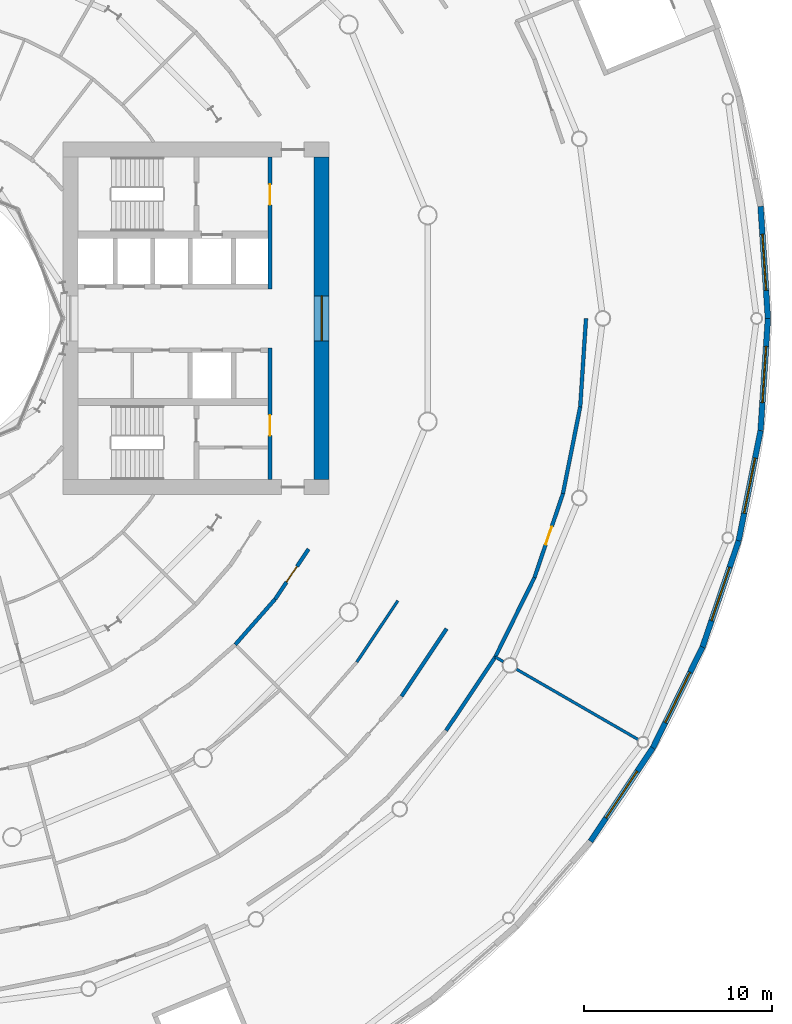
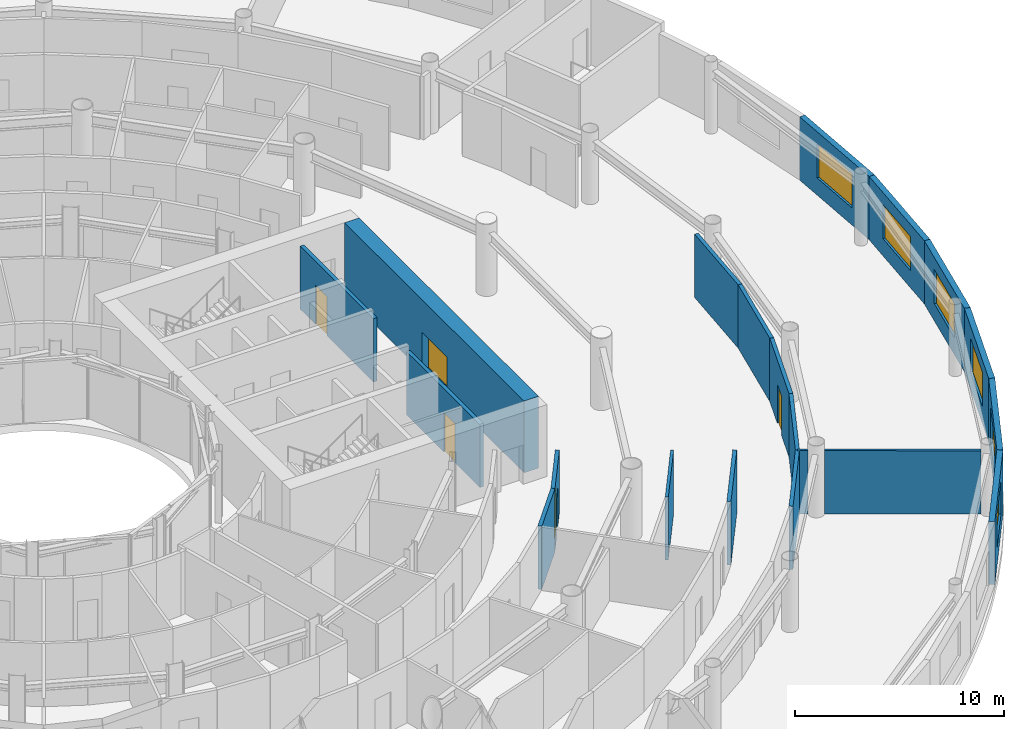
# One storey, part 18 of 29: 20 walls, 7 windows, 4 doors, 11 openings.
"""IFC4 building model written with IfcOpenShell, lengths in metres."""

from ifc_helpers import new_model, si_unit, direction, frame, frame_2d, origin, place, context, subcontext, project, spatial, rectangle, extrude, material, layer, layer_set, type_object, element, fill, save


model = new_model("IFC4")

# Units and contexts
model_context = context("Model", 3, precision=1e-05, world=origin(), true_north=direction((0.0, 1.0)))
body_context = subcontext(model_context, "Body", "Model", "MODEL_VIEW")
ifc_project = project(units=[si_unit("LENGTHUNIT", "METRE"), si_unit("AREAUNIT", "SQUARE_METRE"), si_unit("VOLUMEUNIT", "CUBIC_METRE"), si_unit("PLANEANGLEUNIT", "RADIAN"), si_unit("MASSUNIT", "GRAM", prefix="KILO")], contexts=[model_context])

# Site, building, storey
site_placement = place(None, origin())
site = spatial("IfcSite", under=ifc_project, at=site_placement, CompositionType="ELEMENT")
building_placement = place(site_placement, origin())
building = spatial("IfcBuilding", under=site, at=building_placement, Name="Maasbend Ring Residences", CompositionType="ELEMENT")
storey_placement = place(building_placement, frame((0.0, 0.0, 5.39990234375)))
storey = spatial("IfcBuildingStorey", under=building, at=storey_placement, Name="L01", CompositionType="ELEMENT", Elevation=5.39990234375)

# Wall, opening, window
ifc_material_1 = material(Name="Concrete C70/85", Category="concrete")
ifc_layer_1 = layer(ifc_material_1, 0.800048828125)
ifc_layer_set_1 = layer_set([ifc_layer_1], Name="Concrete C70/85")
wall_type_1 = type_object("IfcWallType", Name="CORE WALL 800 C70/85", PredefinedType="SHEAR", material=ifc_layer_set_1)
wall_1_placement = place(storey_placement, frame((22.0, -8.60009765625, 0.0), z_axis=(0.0, 0.0, 1.0), x_axis=(0.0, 1.0, 0.0)))
wall_1 = element("IfcWall", 1, at=wall_1_placement, inside=storey, type_object=wall_type_1, Name="L01 core E wall POUT", PredefinedType="SHEAR", context=body_context, shape_type="SweptSolid", body=[
    extrude(rectangle(XDim=17.2001953125, YDim=0.800048828125, at=frame_2d((8.60009765625, 0.0))), origin(), (0.0, 0.0, 1.0), 4.2001953125),
])
opening_1_placement = place(wall_1_placement, frame((7.39990234375, 0.0, 0.10009765625)))
opening_1 = element("IfcOpeningElement", 2, at=opening_1_placement, cuts=wall_1, Name="Opening W-E0102", PredefinedType="OPENING", context=body_context, shape_type="SweptSolid", body=[
    extrude(rectangle(XDim=2.39990234375, YDim=2.199951171875, at=frame_2d((1.199951171875, 1.10009765625))), frame((0.0, 0.41015625, 0.0), z_axis=(0.0, -1.0, 0.0), x_axis=(1.0, 0.0, 0.0)), (0.0, 0.0, 1.0), 0.820068359375),
])
ifc_material_2 = material(Name="Aluminium frame and clear glass", Category="aluminium")
window_type_1 = type_object("IfcWindowType", Name="FIXED WINDOW 2400 X 2200", PartitioningType="SINGLE_PANEL", PredefinedType="WINDOW", material=ifc_material_2)
window_1_placement = place(opening_1_placement, origin())
window_1 = element("IfcWindow", 3, at=window_1_placement, inside=storey, type_object=window_type_1, Name="Lobby window L01", OverallHeight=2.199951171875, OverallWidth=2.39990234375, PartitioningType="SINGLE_PANEL", PredefinedType="WINDOW", context=body_context, shape_type="SweptSolid", body=[
    extrude(rectangle(XDim=2.39990234375, YDim=2.199951171875, at=frame_2d((1.199951171875, 1.10009765625))), frame((0.0, 0.030029296875, 0.0), z_axis=(0.0, -1.0, 0.0), x_axis=(1.0, 0.0, 0.0)), (0.0, 0.0, 1.0), 0.06005859375),
])
fill(opening_1, window_1)

# Walls
ifc_material_3 = material(Name="Concrete C30/37", Category="concrete")
ifc_layer_2 = layer(ifc_material_3, 0.199951171875)
ifc_layer_set_2 = layer_set([ifc_layer_2], Name="Concrete C30/37")
wall_type_2 = type_object("IfcWallType", Name="CORRIDOR WALL 200 CONCRETE", PredefinedType="PARTITIONING", material=ifc_layer_set_2)
wall_2_placement = place(storey_placement, frame((28.639892578125, -21.97607421875, 0.0), z_axis=(0.0, 0.0, 1.0), x_axis=(0.555678147384, 0.831397496099, 0.0)))
element("IfcWall", 4, at=wall_2_placement, inside=storey, type_object=wall_type_2, Name="U-L01-w018", PredefinedType="PARTITIONING", context=body_context, shape_type="SweptSolid", body=[
    extrude(rectangle(XDim=4.72216796875, YDim=0.199951171875, at=frame_2d((2.361083984375, 0.0))), origin(), (0.0, 0.0, 1.0), 3.7001953125),
])
wall_3_placement = place(storey_placement, frame((31.263916015625, -18.050048828125, 0.0), z_axis=(0.0, 0.0, 1.0), x_axis=(0.442222407568, 0.896905425474, 0.0)))
element("IfcWall", 5, at=wall_3_placement, inside=storey, type_object=wall_type_2, Name="U-L01-w019", PredefinedType="PARTITIONING", context=body_context, shape_type="SweptSolid", body=[
    extrude(rectangle(XDim=4.721923828125, YDim=0.199951171875, at=frame_2d((2.36083984375, 0.0))), origin(), (0.0, 0.0, 1.0), 3.7001953125),
])

# Wall, opening, door
wall_4_placement = place(storey_placement, frame((33.35205078125, -13.81494140625, 0.0), z_axis=(0.0, 0.0, 1.0), x_axis=(0.321449493775, 0.946926725229, 0.0)))
wall_4 = element("IfcWall", 6, at=wall_4_placement, inside=storey, type_object=wall_type_2, Name="U-L01-w020", PredefinedType="PARTITIONING", context=body_context, shape_type="SweptSolid", body=[
    extrude(rectangle(XDim=4.72265625, YDim=0.199951171875, at=frame_2d((2.361328125, 0.0))), origin(), (0.0, 0.0, 1.0), 3.7001953125),
])
opening_2_placement = place(wall_4_placement, frame((1.861083984375, 0.0, 0.0)))
opening_2 = element("IfcOpeningElement", 7, at=opening_2_placement, cuts=wall_4, Name="Opening D-0185", PredefinedType="OPENING", context=body_context, shape_type="SweptSolid", body=[
    extrude(rectangle(XDim=1.0, YDim=2.300048828125, at=frame_2d((0.5, 1.14990234375))), frame((0.0, 0.10986328125, 0.0), z_axis=(0.0, -1.0, 0.0), x_axis=(1.0, 0.0, 0.0)), (0.0, 0.0, 1.0), 0.219970703125),
])
ifc_material_4 = material(Name="Timber, painted", Category="wood")
door_type_1 = type_object("IfcDoorType", Name="ROOM DOOR 1000 X 2300", OperationType="NOTDEFINED", PredefinedType="DOOR", material=ifc_material_4)
door_1_placement = place(opening_2_placement, origin())
door_1 = element("IfcDoor", 8, at=door_1_placement, inside=storey, type_object=door_type_1, Name="D-0185", OperationType="SINGLE_SWING_LEFT", OverallHeight=2.300048828125, OverallWidth=1.0, PredefinedType="DOOR", context=body_context, shape_type="SweptSolid", body=[
    extrude(rectangle(XDim=1.0, YDim=2.300048828125, at=frame_2d((0.5, 1.14990234375))), frame((0.0, 0.02490234375, 0.0), z_axis=(0.0, -1.0, 0.0), x_axis=(1.0, 0.0, 0.0)), (0.0, 0.0, 1.0), 0.050048828125),
])
fill(opening_2, door_1)

# Walls
wall_5_placement = place(storey_placement, frame((34.8701171875, -9.343017578125, 0.0), z_axis=(0.0, 0.0, 1.0), x_axis=(0.195032193809, 0.980796841032, 0.0)))
element("IfcWall", 9, at=wall_5_placement, inside=storey, type_object=wall_type_2, Name="U-L01-w021", PredefinedType="PARTITIONING", context=body_context, shape_type="SweptSolid", body=[
    extrude(rectangle(XDim=4.7216796875, YDim=0.199951171875, at=frame_2d((2.36083984375, 0.0))), origin(), (0.0, 0.0, 1.0), 3.7001953125),
])
wall_6_placement = place(storey_placement, frame((35.791015625, -4.7119140625, 0.0), z_axis=(0.0, 0.0, 1.0), x_axis=(0.065455185264, 0.997855509942, 0.0)))
element("IfcWall", 10, at=wall_6_placement, inside=storey, type_object=wall_type_2, Name="U-L01-w022", PredefinedType="PARTITIONING", context=body_context, shape_type="SweptSolid", body=[
    extrude(rectangle(XDim=4.721923828125, YDim=0.199951171875, at=frame_2d((2.36083984375, 0.0))), origin(), (0.0, 0.0, 1.0), 3.7001953125),
])
wall_7_placement = place(storey_placement, frame((26.260009765625, -20.14990234375, 0.0), z_axis=(0.0, 0.0, 1.0), x_axis=(0.555519783102, 0.831503319646, 0.0)))
element("IfcWall", 11, at=wall_7_placement, inside=storey, type_object=wall_type_2, Name="U-L01-w038", PredefinedType="PARTITIONING", context=body_context, shape_type="SweptSolid", body=[
    extrude(rectangle(XDim=4.329345703125, YDim=0.199951171875, at=frame_2d((2.16455078125, 0.0))), origin(), (0.0, 0.0, 1.0), 3.7001953125),
])
wall_8_placement = place(storey_placement, frame((17.39501953125, -17.39501953125, 0.0), z_axis=(0.0, 0.0, 1.0), x_axis=(0.659299366608, 0.751880539175, 0.0)))
element("IfcWall", 12, at=wall_8_placement, inside=storey, type_object=wall_type_2, Name="U-L01-w072", PredefinedType="PARTITIONING", context=body_context, shape_type="SweptSolid", body=[
    extrude(rectangle(XDim=3.21728515625, YDim=0.199951171875, at=frame_2d((1.608642578125, 0.0))), origin(), (0.0, 0.0, 1.0), 3.7001953125),
])

# Wall, opening, door
wall_9_placement = place(storey_placement, frame((19.51611328125, -14.97607421875, 0.0), z_axis=(0.0, 0.0, 1.0), x_axis=(0.555522714148, 0.831501361433, 0.0)))
wall_9 = element("IfcWall", 13, at=wall_9_placement, inside=storey, type_object=wall_type_2, Name="U-L01-w073", PredefinedType="PARTITIONING", context=body_context, shape_type="SweptSolid", body=[
    extrude(rectangle(XDim=3.21826171875, YDim=0.199951171875, at=frame_2d((1.609130859375, 0.0))), origin(), (0.0, 0.0, 1.0), 3.7001953125),
])
opening_3_placement = place(wall_9_placement, frame((1.10888671875, 0.0, 0.0)))
opening_3 = element("IfcOpeningElement", 14, at=opening_3_placement, cuts=wall_9, Name="Opening D-0168", PredefinedType="OPENING", context=body_context, shape_type="SweptSolid", body=[
    extrude(rectangle(XDim=1.0, YDim=2.300048828125, at=frame_2d((0.5, 1.14990234375))), frame((0.0, 0.10986328125, 0.0), z_axis=(0.0, -1.0, 0.0), x_axis=(1.0, 0.0, 0.0)), (0.0, 0.0, 1.0), 0.219970703125),
])
door_2_placement = place(opening_3_placement, origin())
door_2 = element("IfcDoor", 15, at=door_2_placement, inside=storey, type_object=door_type_1, Name="D-0168", OperationType="SINGLE_SWING_LEFT", OverallHeight=2.300048828125, OverallWidth=1.0, PredefinedType="DOOR", context=body_context, shape_type="SweptSolid", body=[
    extrude(rectangle(XDim=1.0, YDim=2.300048828125, at=frame_2d((0.5, 1.14990234375))), frame((0.0, 0.02490234375, 0.0), z_axis=(0.0, -1.0, 0.0), x_axis=(1.0, 0.0, 0.0)), (0.0, 0.0, 1.0), 0.050048828125),
])
fill(opening_3, door_2)

# Wall, opening, window
ifc_material_5 = material(Name="Pale anodised aluminium panel", Category="aluminium")
ifc_layer_3 = layer(ifc_material_5, 0.300048828125)
ifc_layer_set_3 = layer_set([ifc_layer_3], Name="EW-BASE")
wall_type_3 = type_object("IfcWallType", Name="EW-BASE", PredefinedType="SOLIDWALL", material=ifc_layer_set_3)
wall_10_placement = place(storey_placement, frame((45.800048828125, 0.0, 0.0), z_axis=(0.0, 0.0, 1.0), x_axis=(-0.065447877106, 0.9978559893, 0.0)))
wall_10 = element("IfcWall", 16, at=wall_10_placement, inside=storey, type_object=wall_type_3, Name="Base block wall 01", PredefinedType="SOLIDWALL", context=body_context, shape_type="SweptSolid", body=[
    extrude(rectangle(XDim=5.990966796875, YDim=0.300048828125, at=frame_2d((2.99560546875, 0.0))), origin(), (0.0, 0.0, 1.0), 3.7001953125),
])
opening_4_placement = place(wall_10_placement, frame((1.495361328125, 0.0, 1.0)))
opening_4 = element("IfcOpeningElement", 17, at=opening_4_placement, cuts=wall_10, Name="Opening W-PB", PredefinedType="OPENING", context=body_context, shape_type="SweptSolid", body=[
    extrude(rectangle(XDim=3.0, YDim=2.0, at=frame_2d((1.5, 1.0))), frame((0.0, 0.16015625, 0.0), z_axis=(0.0, -1.0, 0.0), x_axis=(1.0, 0.0, 0.0)), (0.0, 0.0, 1.0), 0.320068359375),
])
ifc_material_6 = material(Name="Aluminium and clear glass", Category="aluminium")
window_type_2 = type_object("IfcWindowType", Name="W-PB", PartitioningType="SINGLE_PANEL", PredefinedType="WINDOW", material=ifc_material_6)
window_2_placement = place(opening_4_placement, origin())
window_2 = element("IfcWindow", 18, at=window_2_placement, inside=storey, type_object=window_type_2, Name="Base block window 01", OverallHeight=2.0, OverallWidth=3.0, PartitioningType="SINGLE_PANEL", PredefinedType="WINDOW", context=body_context, shape_type="SweptSolid", body=[
    extrude(rectangle(XDim=3.0, YDim=2.0, at=frame_2d((1.5, 1.0))), frame((0.0, 0.030029296875, 0.0), z_axis=(0.0, -1.0, 0.0), x_axis=(1.0, 0.0, 0.0)), (0.0, 0.0, 1.0), 0.06005859375),
])
fill(opening_4, window_2)

wall_11_placement = place(storey_placement, frame((36.3359375, -27.881103515625, 0.0), z_axis=(0.0, 0.0, 1.0), x_axis=(0.55554631985, 0.831485590074, 0.0)))
wall_11 = element("IfcWall", 19, at=wall_11_placement, inside=storey, type_object=wall_type_3, Name="Base block wall 44", PredefinedType="SOLIDWALL", context=body_context, shape_type="SweptSolid", body=[
    extrude(rectangle(XDim=5.99072265625, YDim=0.300048828125, at=frame_2d((2.995361328125, 0.0))), origin(), (0.0, 0.0, 1.0), 3.7001953125),
])
opening_5_placement = place(wall_11_placement, frame((1.495361328125, 0.0, 1.0)))
opening_5 = element("IfcOpeningElement", 20, at=opening_5_placement, cuts=wall_11, Name="Opening W-PB", PredefinedType="OPENING", context=body_context, shape_type="SweptSolid", body=[
    extrude(rectangle(XDim=3.0, YDim=2.0, at=frame_2d((1.5, 1.0))), frame((0.0, 0.16015625, 0.0), z_axis=(0.0, -1.0, 0.0), x_axis=(1.0, 0.0, 0.0)), (0.0, 0.0, 1.0), 0.320068359375),
])
window_3_placement = place(opening_5_placement, origin())
window_3 = element("IfcWindow", 21, at=window_3_placement, inside=storey, type_object=window_type_2, Name="Base block window 44", OverallHeight=2.0, OverallWidth=3.0, PartitioningType="SINGLE_PANEL", PredefinedType="WINDOW", context=body_context, shape_type="SweptSolid", body=[
    extrude(rectangle(XDim=3.0, YDim=2.0, at=frame_2d((1.5, 1.0))), frame((0.0, 0.030029296875, 0.0), z_axis=(0.0, -1.0, 0.0), x_axis=(1.0, 0.0, 0.0)), (0.0, 0.0, 1.0), 0.06005859375),
])
fill(opening_5, window_3)

wall_12_placement = place(storey_placement, frame((39.6640625, -22.89990234375, 0.0), z_axis=(0.0, 0.0, 1.0), x_axis=(0.44233289833, 0.896850939151, 0.0)))
wall_12 = element("IfcWall", 22, at=wall_12_placement, inside=storey, type_object=wall_type_3, Name="Base block wall 45", PredefinedType="SOLIDWALL", context=body_context, shape_type="SweptSolid", body=[
    extrude(rectangle(XDim=5.99072265625, YDim=0.300048828125, at=frame_2d((2.995361328125, 0.0))), origin(), (0.0, 0.0, 1.0), 3.7001953125),
])
opening_6_placement = place(wall_12_placement, frame((1.495361328125, 0.0, 1.0)))
opening_6 = element("IfcOpeningElement", 23, at=opening_6_placement, cuts=wall_12, Name="Opening W-PB", PredefinedType="OPENING", context=body_context, shape_type="SweptSolid", body=[
    extrude(rectangle(XDim=3.0, YDim=2.0, at=frame_2d((1.5, 1.0))), frame((0.0, 0.16015625, 0.0), z_axis=(0.0, -1.0, 0.0), x_axis=(1.0, 0.0, 0.0)), (0.0, 0.0, 1.0), 0.320068359375),
])
window_4_placement = place(opening_6_placement, origin())
window_4 = element("IfcWindow", 24, at=window_4_placement, inside=storey, type_object=window_type_2, Name="Base block window 45", OverallHeight=2.0, OverallWidth=3.0, PartitioningType="SINGLE_PANEL", PredefinedType="WINDOW", context=body_context, shape_type="SweptSolid", body=[
    extrude(rectangle(XDim=3.0, YDim=2.0, at=frame_2d((1.5, 1.0))), frame((0.0, 0.030029296875, 0.0), z_axis=(0.0, -1.0, 0.0), x_axis=(1.0, 0.0, 0.0)), (0.0, 0.0, 1.0), 0.06005859375),
])
fill(opening_6, window_4)

wall_13_placement = place(storey_placement, frame((42.31396484375, -17.527099609375, 0.0), z_axis=(0.0, 0.0, 1.0), x_axis=(0.321333542675, 0.946966078776, 0.0)))
wall_13 = element("IfcWall", 25, at=wall_13_placement, inside=storey, type_object=wall_type_3, Name="Base block wall 46", PredefinedType="SOLIDWALL", context=body_context, shape_type="SweptSolid", body=[
    extrude(rectangle(XDim=5.99072265625, YDim=0.300048828125, at=frame_2d((2.995361328125, 0.0))), origin(), (0.0, 0.0, 1.0), 3.7001953125),
])
opening_7_placement = place(wall_13_placement, frame((1.495361328125, 0.0, 1.0)))
opening_7 = element("IfcOpeningElement", 26, at=opening_7_placement, cuts=wall_13, Name="Opening W-PB", PredefinedType="OPENING", context=body_context, shape_type="SweptSolid", body=[
    extrude(rectangle(XDim=3.0, YDim=2.0, at=frame_2d((1.5, 1.0))), frame((0.0, 0.16015625, 0.0), z_axis=(0.0, -1.0, 0.0), x_axis=(1.0, 0.0, 0.0)), (0.0, 0.0, 1.0), 0.320068359375),
])
window_5_placement = place(opening_7_placement, origin())
window_5 = element("IfcWindow", 27, at=window_5_placement, inside=storey, type_object=window_type_2, Name="Base block window 46", OverallHeight=2.0, OverallWidth=3.0, PartitioningType="SINGLE_PANEL", PredefinedType="WINDOW", context=body_context, shape_type="SweptSolid", body=[
    extrude(rectangle(XDim=3.0, YDim=2.0, at=frame_2d((1.5, 1.0))), frame((0.0, 0.030029296875, 0.0), z_axis=(0.0, -1.0, 0.0), x_axis=(1.0, 0.0, 0.0)), (0.0, 0.0, 1.0), 0.06005859375),
])
fill(opening_7, window_5)

wall_14_placement = place(storey_placement, frame((44.239013671875, -11.85400390625, 0.0), z_axis=(0.0, 0.0, 1.0), x_axis=(0.195112945602, 0.980780780021, 0.0)))
wall_14 = element("IfcWall", 28, at=wall_14_placement, inside=storey, type_object=wall_type_3, Name="Base block wall 47", PredefinedType="SOLIDWALL", context=body_context, shape_type="SweptSolid", body=[
    extrude(rectangle(XDim=5.9912109375, YDim=0.300048828125, at=frame_2d((2.99560546875, 0.0))), origin(), (0.0, 0.0, 1.0), 3.7001953125),
])
opening_8_placement = place(wall_14_placement, frame((1.495361328125, 0.0, 1.0)))
opening_8 = element("IfcOpeningElement", 29, at=opening_8_placement, cuts=wall_14, Name="Opening W-PB", PredefinedType="OPENING", context=body_context, shape_type="SweptSolid", body=[
    extrude(rectangle(XDim=3.0, YDim=2.0, at=frame_2d((1.5, 1.0))), frame((0.0, 0.16015625, 0.0), z_axis=(0.0, -1.0, 0.0), x_axis=(1.0, 0.0, 0.0)), (0.0, 0.0, 1.0), 0.320068359375),
])
window_6_placement = place(opening_8_placement, origin())
window_6 = element("IfcWindow", 30, at=window_6_placement, inside=storey, type_object=window_type_2, Name="Base block window 47", OverallHeight=2.0, OverallWidth=3.0, PartitioningType="SINGLE_PANEL", PredefinedType="WINDOW", context=body_context, shape_type="SweptSolid", body=[
    extrude(rectangle(XDim=3.0, YDim=2.0, at=frame_2d((1.5, 1.0))), frame((0.0, 0.030029296875, 0.0), z_axis=(0.0, -1.0, 0.0), x_axis=(1.0, 0.0, 0.0)), (0.0, 0.0, 1.0), 0.06005859375),
])
fill(opening_8, window_6)

wall_15_placement = place(storey_placement, frame((45.407958984375, -5.97802734375, 0.0), z_axis=(0.0, 0.0, 1.0), x_axis=(0.065447877106, 0.9978559893, 0.0)))
wall_15 = element("IfcWall", 31, at=wall_15_placement, inside=storey, type_object=wall_type_3, Name="Base block wall 48", PredefinedType="SOLIDWALL", context=body_context, shape_type="SweptSolid", body=[
    extrude(rectangle(XDim=5.990966796875, YDim=0.300048828125, at=frame_2d((2.99560546875, 0.0))), origin(), (0.0, 0.0, 1.0), 3.7001953125),
])
opening_9_placement = place(wall_15_placement, frame((1.495361328125, 0.0, 1.0)))
opening_9 = element("IfcOpeningElement", 32, at=opening_9_placement, cuts=wall_15, Name="Opening W-PB", PredefinedType="OPENING", context=body_context, shape_type="SweptSolid", body=[
    extrude(rectangle(XDim=3.0, YDim=2.0, at=frame_2d((1.5, 1.0))), frame((0.0, 0.16015625, 0.0), z_axis=(0.0, -1.0, 0.0), x_axis=(1.0, 0.0, 0.0)), (0.0, 0.0, 1.0), 0.320068359375),
])
window_7_placement = place(opening_9_placement, origin())
window_7 = element("IfcWindow", 33, at=window_7_placement, inside=storey, type_object=window_type_2, Name="Base block window 48", OverallHeight=2.0, OverallWidth=3.0, PartitioningType="SINGLE_PANEL", PredefinedType="WINDOW", context=body_context, shape_type="SweptSolid", body=[
    extrude(rectangle(XDim=3.0, YDim=2.0, at=frame_2d((1.5, 1.0))), frame((0.0, 0.030029296875, 0.0), z_axis=(0.0, -1.0, 0.0), x_axis=(1.0, 0.0, 0.0)), (0.0, 0.0, 1.0), 0.06005859375),
])
fill(opening_9, window_7)

# Walls
ifc_material_7 = material(Name="Gypsum board on steel studs", Category="steel")
ifc_layer_4 = layer(ifc_material_7, 0.14990234375)
ifc_layer_set_4 = layer_set([ifc_layer_4], Name="PARTITION 150 GYPSUM")
wall_type_4 = type_object("IfcWallType", Name="PARTITION 150 GYPSUM", PredefinedType="PARTITIONING", material=ifc_layer_set_4)
wall_16_placement = place(storey_placement, frame((23.8798828125, -18.323974609375, 0.0), z_axis=(0.0, 0.0, 1.0), x_axis=(0.555472679071, 0.83153478749, 0.0)))
element("IfcWall", 34, at=wall_16_placement, inside=storey, type_object=wall_type_4, Name="U-L01-w042", PredefinedType="PARTITIONING", context=body_context, shape_type="SweptSolid", body=[
    extrude(rectangle(XDim=3.937255859375, YDim=0.14990234375, at=frame_2d((1.96875, 0.0))), origin(), (0.0, 0.0, 1.0), 3.7001953125),
])
wall_17_placement = place(storey_placement, frame((31.261962890625, -18.053955078125, 0.0), z_axis=(0.0, 0.0, 1.0), x_axis=(0.866071776036, -0.499919672301, 0.0)))
element("IfcWall", 35, at=wall_17_placement, inside=storey, type_object=wall_type_4, Name="U-L01-w183", PredefinedType="PARTITIONING", context=body_context, shape_type="SweptSolid", body=[
    extrude(rectangle(XDim=0.5, YDim=0.14990234375, at=frame_2d((0.25, 0.0))), origin(), (0.0, 0.0, 1.0), 3.7001953125),
])
wall_18_placement = place(storey_placement, frame((32.386962890625, -18.702880859375, 0.0), z_axis=(0.0, 0.0, 1.0), x_axis=(0.865952477869, -0.500126290124, 0.0)))
element("IfcWall", 36, at=wall_18_placement, inside=storey, type_object=wall_type_4, Name="U-L01-w184", PredefinedType="PARTITIONING", context=body_context, shape_type="SweptSolid", body=[
    extrude(rectangle(XDim=7.50048828125, YDim=0.14990234375, at=frame_2d((3.750244140625, 0.0))), origin(), (0.0, 0.0, 1.0), 3.7001953125),
])

# Wall, opening, door
ifc_material_8 = material(Name="Concrete C30/37", Category="concrete")
ifc_layer_5 = layer(ifc_material_8, 0.199951171875)
ifc_layer_set_5 = layer_set([ifc_layer_5], Name="Concrete C30/37")
wall_type_5 = type_object("IfcWallType", Name="SHAFT WALL 200 EI 120", PredefinedType="SOLIDWALL", material=ifc_layer_set_5)
wall_19_placement = place(storey_placement, frame((19.25, 1.574951171875, 0.0), z_axis=(0.0, 0.0, 1.0), x_axis=(0.0, 1.0, 0.0)))
wall_19 = element("IfcWall", 37, at=wall_19_placement, inside=storey, type_object=wall_type_5, Name="L01 core E wall ENDN", PredefinedType="SOLIDWALL", context=body_context, shape_type="SweptSolid", body=[
    extrude(rectangle(XDim=7.025146484375, YDim=0.199951171875, at=frame_2d((3.5126953125, 0.0))), origin(), (0.0, 0.0, 1.0), 3.7001953125),
])
opening_10_placement = place(wall_19_placement, frame((4.47509765625, 0.0, 0.0)))
opening_10 = element("IfcOpeningElement", 38, at=opening_10_placement, cuts=wall_19, Name="Opening D-E0112", PredefinedType="OPENING", context=body_context, shape_type="SweptSolid", body=[
    extrude(rectangle(XDim=1.10009765625, YDim=2.300048828125, at=frame_2d((0.550048828125, 1.14990234375))), frame((0.0, 0.10986328125, 0.0), z_axis=(0.0, -1.0, 0.0), x_axis=(1.0, 0.0, 0.0)), (0.0, 0.0, 1.0), 0.219970703125),
])
ifc_material_9 = material(Name="Steel, powder coated", Category="steel")
door_type_2 = type_object("IfcDoorType", Name="LOBBY DOOR 1100 X 2300 FD60", OperationType="NOTDEFINED", PredefinedType="DOOR", material=ifc_material_9)
door_3_placement = place(opening_10_placement, origin())
door_3 = element("IfcDoor", 39, at=door_3_placement, inside=storey, type_object=door_type_2, Name="Lobby door L01", OperationType="SINGLE_SWING_LEFT", OverallHeight=2.300048828125, OverallWidth=1.10009765625, PredefinedType="DOOR", context=body_context, shape_type="SweptSolid", body=[
    extrude(rectangle(XDim=1.10009765625, YDim=2.300048828125, at=frame_2d((0.550048828125, 1.14990234375))), frame((0.0, 0.02490234375, 0.0), z_axis=(0.0, -1.0, 0.0), x_axis=(1.0, 0.0, 0.0)), (0.0, 0.0, 1.0), 0.050048828125),
])
fill(opening_10, door_3)

wall_20_placement = place(storey_placement, frame((19.25, -8.60009765625, 0.0), z_axis=(0.0, 0.0, 1.0), x_axis=(0.0, 1.0, 0.0)))
wall_20 = element("IfcWall", 40, at=wall_20_placement, inside=storey, type_object=wall_type_5, Name="L01 core E wall ENDS", PredefinedType="SOLIDWALL", context=body_context, shape_type="SweptSolid", body=[
    extrude(rectangle(XDim=7.025146484375, YDim=0.199951171875, at=frame_2d((3.5126953125, 0.0))), origin(), (0.0, 0.0, 1.0), 3.7001953125),
])
opening_11_placement = place(wall_20_placement, frame((2.35009765625, 0.0, 0.0)))
opening_11 = element("IfcOpeningElement", 41, at=opening_11_placement, cuts=wall_20, Name="Opening D-E0113", PredefinedType="OPENING", context=body_context, shape_type="SweptSolid", body=[
    extrude(rectangle(XDim=1.10009765625, YDim=2.300048828125, at=frame_2d((0.550048828125, 1.14990234375))), frame((0.0, 0.10986328125, 0.0), z_axis=(0.0, -1.0, 0.0), x_axis=(1.0, 0.0, 0.0)), (0.0, 0.0, 1.0), 0.219970703125),
])
door_4_placement = place(opening_11_placement, origin())
door_4 = element("IfcDoor", 42, at=door_4_placement, inside=storey, type_object=door_type_2, Name="Lobby door L01", OperationType="SINGLE_SWING_RIGHT", OverallHeight=2.300048828125, OverallWidth=1.10009765625, PredefinedType="DOOR", context=body_context, shape_type="SweptSolid", body=[
    extrude(rectangle(XDim=1.10009765625, YDim=2.300048828125, at=frame_2d((0.550048828125, 1.14990234375))), frame((0.0, 0.02490234375, 0.0), z_axis=(0.0, -1.0, 0.0), x_axis=(1.0, 0.0, 0.0)), (0.0, 0.0, 1.0), 0.050048828125),
])
fill(opening_11, door_4)

save(model, "model.ifc")
